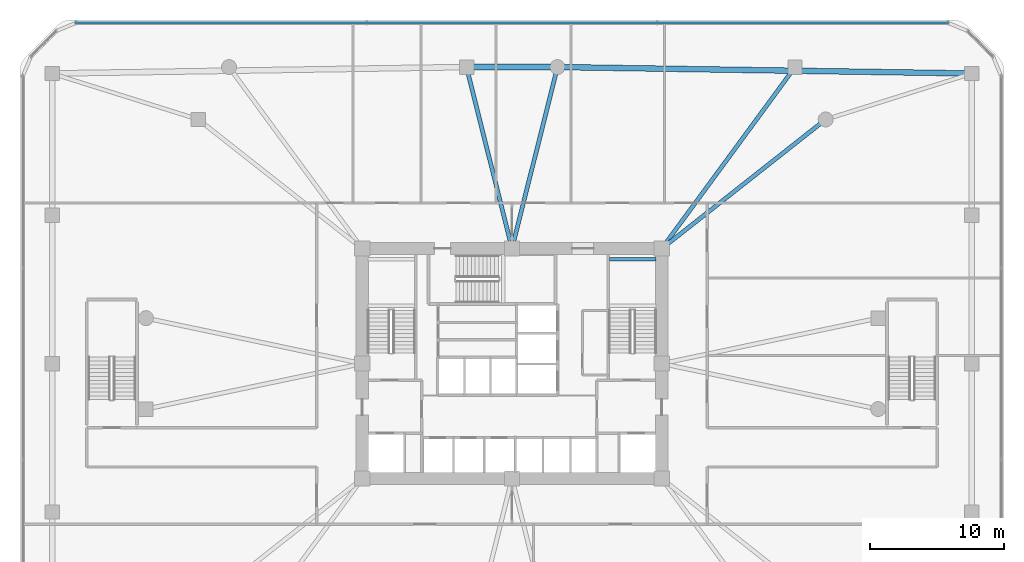
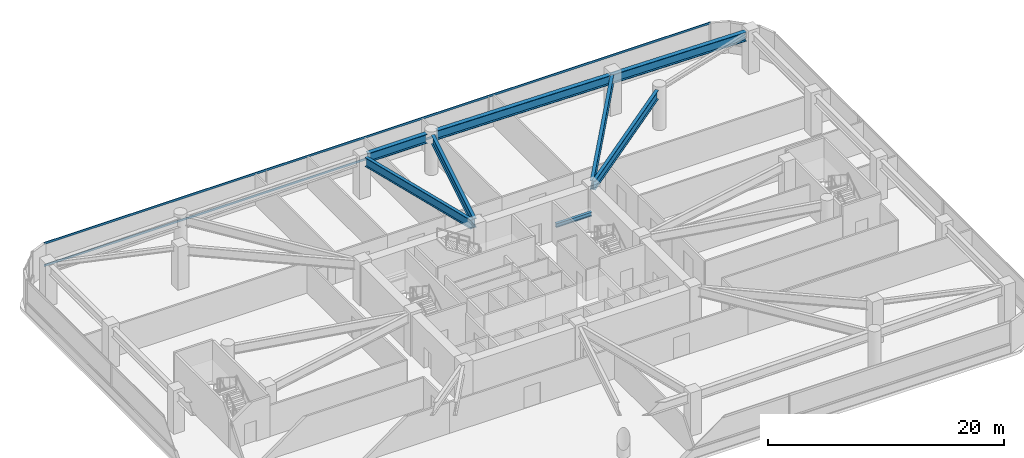
# One storey, part 7 of 21: 7 beams, 2 members, 1 element without a shape of its own.
"""IFC4 building model written with IfcOpenShell, lengths in metres."""

from ifc_helpers import new_model, si_unit, derived_unit, direction, frame, origin, origin_2d, place, context, subcontext, project, spatial, rectangle, i_section, extrude, material, material_profile, profile_set, type_object, element, aggregate, save


model = new_model("IFC4")

# Units and contexts
model_context = context("Model", 3, precision=1e-05, world=origin(), true_north=direction((0.0, 1.0)))
body_context = subcontext(model_context, "Body", "Model", "MODEL_VIEW")
ifc_project = project(units=[si_unit("LENGTHUNIT", "METRE"), si_unit("AREAUNIT", "SQUARE_METRE"), si_unit("VOLUMEUNIT", "CUBIC_METRE"), si_unit("PLANEANGLEUNIT", "RADIAN"), si_unit("MASSUNIT", "GRAM", prefix="KILO"), derived_unit("THERMALTRANSMITTANCEUNIT", [(si_unit("POWERUNIT", "WATT"), 1), (si_unit("LENGTHUNIT", "METRE"), -2), (si_unit("THERMODYNAMICTEMPERATUREUNIT", "KELVIN"), -1)])], contexts=[model_context])

# Site, building, storey
site_placement = place(None, origin())
site = spatial("IfcSite", under=ifc_project, at=site_placement, CompositionType="ELEMENT")
building_placement = place(site_placement, origin())
building = spatial("IfcBuilding", under=site, at=building_placement, Name="Koralith Skygarden Medical Center", CompositionType="ELEMENT")
storey_placement = place(building_placement, frame((0.0, 0.0, 14.39990234375)))
storey = spatial("IfcBuildingStorey", under=building, at=storey_placement, Name="L03", CompositionType="ELEMENT", Elevation=14.39990234375)

# Curtain wall, members
ifc_material_1 = material(Name="Clear Laminated Glass", Category="glass")
curtain_wall_type = type_object("IfcCurtainWallType", Name="CW-1 Transit & Podium Acoustic Curtain Wall", PredefinedType="NOTDEFINED", material=ifc_material_1)
curtain_wall_placement = place(storey_placement, origin())
curtain_wall = element("IfcCurtainWall", 1, at=curtain_wall_placement, inside=storey, type_object=curtain_wall_type, Name="Curtain Wall CW-L03-N", PredefinedType="NOTDEFINED")
ifc_material_2 = material(Name="Aluminium 6063-T6", Category="aluminium")
ifc_material_profile_1 = material_profile(ifc_material_2, rectangle(XDim=0.06298828125, YDim=0.216064453125, at=origin_2d()), Name="TRN63X216")
ifc_profile_set_1 = profile_set([ifc_material_profile_1], Name="Aluminium 6063-T6")
member_type = type_object("IfcMemberType", Name="CW-1 Thermal Transom 63x216", PredefinedType="USERDEFINED", material=ifc_profile_set_1)
member_1_placement = place(storey_placement, frame((69.62109375, 51.3798828125, 0.900146484375), z_axis=(-1.0, 0.0, 0.0), x_axis=(0.0, -1.0, 0.0)))
member_1 = element("IfcMember", 2, at=member_1_placement, type_object=member_type, Name="CW-L03-N Transom 1", ObjectType="TRANSOM", PredefinedType="USERDEFINED", context=body_context, shape_type="SweptSolid", body=[
    extrude(rectangle(XDim=0.06298828125, YDim=0.216064453125, at=origin_2d()), origin(), (0.0, 0.0, 1.0), 65.2421875),
])
member_2_placement = place(storey_placement, frame((69.62109375, 51.3798828125, 3.190185546875), z_axis=(-1.0, 0.0, 0.0), x_axis=(0.0, -1.0, 0.0)))
member_2 = element("IfcMember", 3, at=member_2_placement, type_object=member_type, Name="CW-L03-N Transom 2", ObjectType="TRANSOM", PredefinedType="USERDEFINED", context=body_context, shape_type="SweptSolid", body=[
    extrude(rectangle(XDim=0.06298828125, YDim=0.216064453125, at=origin_2d()), origin(), (0.0, 0.0, 1.0), 65.2421875),
])
aggregate(curtain_wall, [member_1, member_2])

# Beams
ifc_material_3 = material(Name="Steel ASTM A992 Grade 50", Category="steel")
ifc_material_profile_2 = material_profile(ifc_material_3, i_section(OverallWidth=0.260009765625, OverallDepth=0.4150390625, WebThickness=0.010009765625, FlangeThickness=0.016845703125, at=origin_2d()), Name="W16X67")
ifc_profile_set_2 = profile_set([ifc_material_profile_2], Name="Steel ASTM A992 Grade 50")
beam_type_1 = type_object("IfcBeamType", Name="Clinical Floor Joist W16X67", PredefinedType="JOIST", material=ifc_profile_set_2)
beam_1_placement = place(storey_placement, frame((44.280029296875, 33.699951171875, 1.842041015625), z_axis=(1.0, 0.0, 0.0), x_axis=(0.0, 1.0, 0.0)))
element("IfcBeam", 4, at=beam_1_placement, inside=storey, type_object=beam_type_1, Name="L03 Stair ST2 Half-Landing Support Beam 1B", PredefinedType="JOIST", context=body_context, shape_type="SweptSolid", body=[
    extrude(i_section(OverallWidth=0.260009765625, OverallDepth=0.4150390625, WebThickness=0.010009765625, FlangeThickness=0.016845703125, at=origin_2d()), origin(), (0.0, 0.0, 1.0), 3.489990234375),
])
ifc_material_profile_3 = material_profile(ifc_material_3, i_section(OverallWidth=0.423095703125, OverallDepth=0.947998046875, WebThickness=0.02392578125, FlangeThickness=0.042724609375, at=origin_2d()), Name="W36X302")
ifc_profile_set_3 = profile_set([ifc_material_profile_3], Name="Steel ASTM A992 Grade 50")
beam_type_2 = type_object("IfcBeamType", Name="Podium Concourse Girder W36X302", PredefinedType="BEAM", material=ifc_profile_set_3)
beam_2_placement = place(storey_placement, frame((70.8798828125, 47.60791015625, 3.72607421875), z_axis=(-0.999880035237, 0.015489194131, 0.0), x_axis=(-0.015489194131, -0.999880035237, 0.0)))
element("IfcBeam", 5, at=beam_2_placement, inside=storey, type_object=beam_type_2, Name="L03 Podium Perimeter Beam PB-09", PredefinedType="BEAM", context=body_context, shape_type="SweptSolid", body=[
    extrude(i_section(OverallWidth=0.423095703125, OverallDepth=0.947998046875, WebThickness=0.02392578125, FlangeThickness=0.042724609375, at=origin_2d()), origin(), (0.0, 0.0, 1.0), 29.963623046875),
])
beam_3_placement = place(storey_placement, frame((39.8798828125, 48.080078125, 3.72607421875), z_axis=(-1.0, 0.0, 0.0), x_axis=(0.0, -1.0, 0.0)))
element("IfcBeam", 6, at=beam_3_placement, inside=storey, type_object=beam_type_2, Name="L03 Podium Perimeter Beam PB-10", PredefinedType="BEAM", context=body_context, shape_type="SweptSolid", body=[
    extrude(i_section(OverallWidth=0.423095703125, OverallDepth=0.947998046875, WebThickness=0.02392578125, FlangeThickness=0.042724609375, at=origin_2d()), origin(), (0.0, 0.0, 1.0), 5.759765625),
])
ifc_material_profile_4 = material_profile(ifc_material_3, i_section(OverallWidth=0.30810546875, OverallDepth=0.943115234375, WebThickness=0.022216796875, FlangeThickness=0.039794921875, at=origin_2d()), Name="W36X232")
ifc_profile_set_4 = profile_set([ifc_material_profile_4], Name="Steel ASTM A992 Grade 50")
beam_type_3 = type_object("IfcBeamType", Name="Surgical Platform Girder W36X232", PredefinedType="BEAM", material=ifc_profile_set_4)
beam_4_placement = place(storey_placement, frame((48.639892578125, 34.846923828125, 3.72900390625), z_axis=(0.785504791859, 0.618855574401, 0.0), x_axis=(-0.618855574401, 0.785504791859, 0.0)))
element("IfcBeam", 7, at=beam_4_placement, inside=storey, type_object=beam_type_3, Name="L03 Podium Radial Girder PRG-10", PredefinedType="BEAM", context=body_context, shape_type="SweptSolid", body=[
    extrude(i_section(OverallWidth=0.30810546875, OverallDepth=0.943115234375, WebThickness=0.022216796875, FlangeThickness=0.039794921875, at=origin_2d()), origin(), (0.0, 0.0, 1.0), 14.5283203125),
])
beam_5_placement = place(storey_placement, frame((48.531005859375, 34.950927734375, 3.72900390625), z_axis=(0.591712691958, 0.806148925556, 0.0), x_axis=(-0.806148925556, 0.591712691958, 0.0)))
element("IfcBeam", 8, at=beam_5_placement, inside=storey, type_object=beam_type_3, Name="L03 Podium Radial Girder PRG-11", PredefinedType="BEAM", context=body_context, shape_type="SweptSolid", body=[
    extrude(i_section(OverallWidth=0.30810546875, OverallDepth=0.943115234375, WebThickness=0.022216796875, FlangeThickness=0.039794921875, at=origin_2d()), origin(), (0.0, 0.0, 1.0), 15.766357421875),
])
for number, where, z_axis, x_axis, name in (
    (9, (37.135986328125, 35.04296875, 3.72900390625), (0.242877971824, 0.970056849263, 0.0), (-0.970056849263, 0.242877971824, 0.0), "L03 Podium Radial Girder PRG-12"),
    (10, (36.864013671875, 35.04296875, 3.72900390625), (-0.242877971824, 0.970056849263, 0.0), (-0.970056849263, -0.242877971824, 0.0), "L03 Podium Radial Girder PRG-13"),
):
    element("IfcBeam", number, at=place(storey_placement, frame(where, z_axis=z_axis, x_axis=x_axis)), inside=storey, type_object=beam_type_3, Name=name, PredefinedType="BEAM", context=body_context, shape_type="SweptSolid", body=[
        extrude(i_section(OverallWidth=0.30810546875, OverallDepth=0.943115234375, WebThickness=0.022216796875, FlangeThickness=0.039794921875, at=origin_2d()), origin(), (0.0, 0.0, 1.0), 12.919921875),
    ])

save(model, "model.ifc")
